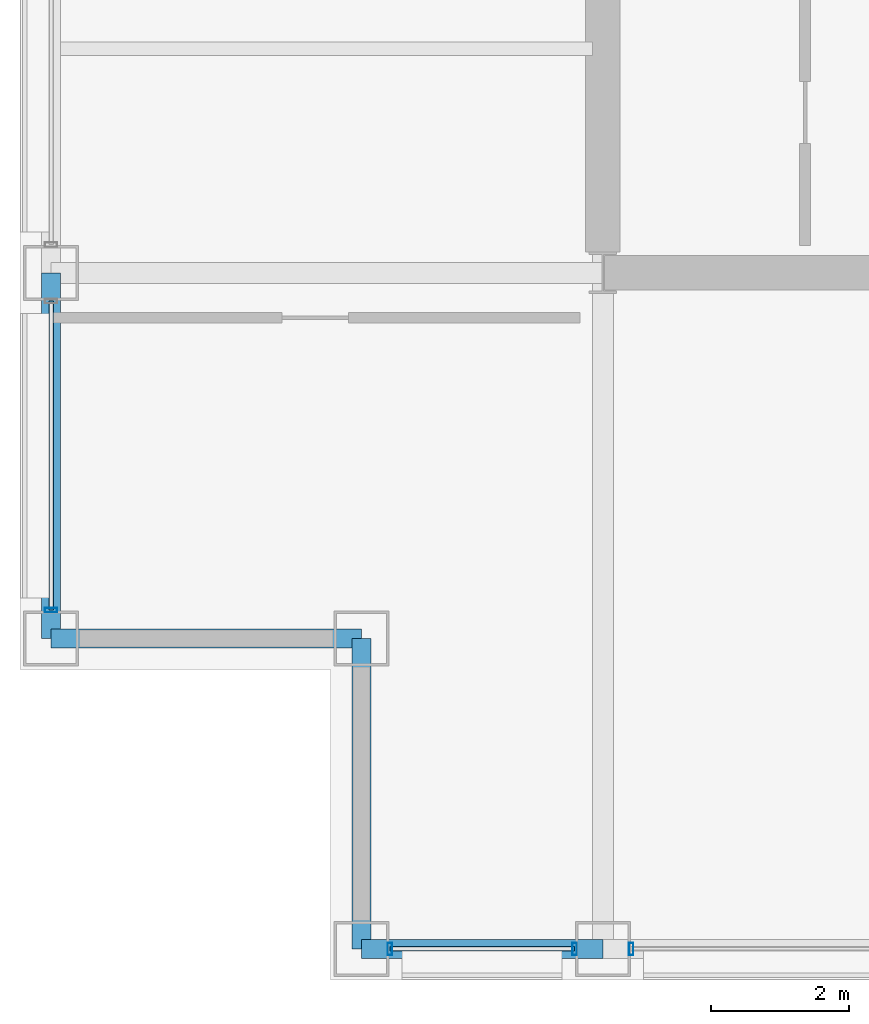
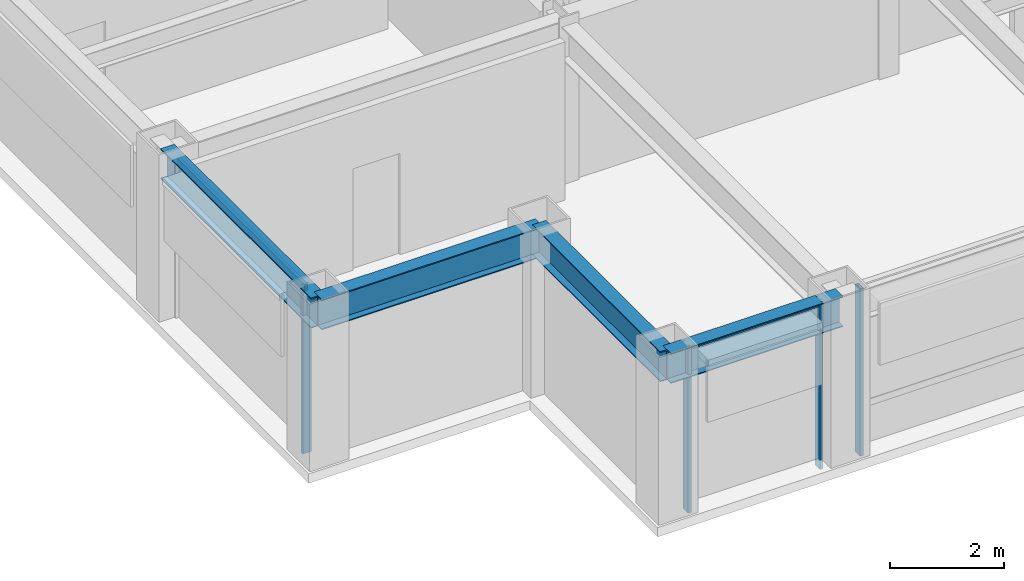
# One storey, part 2 of 29: 6 members, 4 beams, 3 elements without a shape of their own.
"""IFC4 building model written with IfcOpenShell, lengths in metres."""

from ifc_helpers import new_model, si_unit, direction, frame, origin, origin_2d, place, context, subcontext, project, spatial, hollow_rectangle, i_section, extrude, material, layer, layer_set, material_profile, profile_set, type_object, element, aggregate, save


model = new_model("IFC4")

# Units and contexts
model_context = context("Model", 3, precision=1e-05, world=origin(), true_north=direction((0.0, 1.0)))
body_context = subcontext(model_context, "Body", "Model", "MODEL_VIEW")
ifc_project = project(units=[si_unit("LENGTHUNIT", "METRE"), si_unit("AREAUNIT", "SQUARE_METRE"), si_unit("VOLUMEUNIT", "CUBIC_METRE"), si_unit("PLANEANGLEUNIT", "RADIAN"), si_unit("MASSUNIT", "GRAM", prefix="KILO")], contexts=[model_context])

# Site, building, storey
site_placement = place(None, origin())
site = spatial("IfcSite", under=ifc_project, at=site_placement, CompositionType="ELEMENT")
building_placement = place(site_placement, origin())
building = spatial("IfcBuilding", under=site, at=building_placement, Name="Brelmoor Portico Tower", CompositionType="ELEMENT")
storey_placement = place(building_placement, frame((0.0, 0.0, 138.60009765625)))
storey = spatial("IfcBuildingStorey", under=building, at=storey_placement, Name="L36", CompositionType="ELEMENT", Elevation=138.60009765625)

# Beams
ifc_material_1 = material(Name="Steel Q355B", Category="steel")
ifc_material_profile_1 = material_profile(ifc_material_1, i_section(OverallWidth=0.280029296875, OverallDepth=0.64990234375, WebThickness=0.012939453125, FlangeThickness=0.02197265625, at=origin_2d()), Name="HN 650x280x13x22")
ifc_profile_set_1 = profile_set([ifc_material_profile_1], Name="Steel Q355B")
beam_type = type_object("IfcBeamType", Name="BM-SP-650", PredefinedType="SPANDREL", material=ifc_profile_set_1)
beam_1_placement = place(storey_placement, frame((-18.050048828125, -19.550048828125, 3.074951171875), z_axis=(1.0, 0.0, 0.0), x_axis=(0.0, 1.0, 0.0)))
element("IfcBeam", 1, at=beam_1_placement, inside=storey, type_object=beam_type, Name="L36 Perimeter Spandrel Beam SP-01", PredefinedType="SPANDREL", context=body_context, shape_type="SweptSolid", body=[
    extrude(i_section(OverallWidth=0.280029296875, OverallDepth=0.64990234375, WebThickness=0.012939453125, FlangeThickness=0.02197265625, at=origin_2d()), origin(), (0.0, 0.0, 1.0), 3.5),
])
beam_2_placement = place(storey_placement, frame((-22.550048828125, -15.050048828125, 3.074951171875), z_axis=(1.0, 0.0, 0.0), x_axis=(0.0, 1.0, 0.0)))
element("IfcBeam", 2, at=beam_2_placement, inside=storey, type_object=beam_type, Name="L36 Perimeter Spandrel Beam SP-06", PredefinedType="SPANDREL", context=body_context, shape_type="SweptSolid", body=[
    extrude(i_section(OverallWidth=0.280029296875, OverallDepth=0.64990234375, WebThickness=0.012939453125, FlangeThickness=0.02197265625, at=origin_2d()), origin(), (0.0, 0.0, 1.0), 4.5),
])
beam_3_placement = place(storey_placement, frame((-22.550048828125, -15.050048828125, 3.074951171875), z_axis=(0.0, 1.0, 0.0), x_axis=(-1.0, 0.0, 0.0)))
element("IfcBeam", 3, at=beam_3_placement, inside=storey, type_object=beam_type, Name="L36 Perimeter Spandrel Beam SP-15", PredefinedType="SPANDREL", context=body_context, shape_type="SweptSolid", body=[
    extrude(i_section(OverallWidth=0.280029296875, OverallDepth=0.64990234375, WebThickness=0.012939453125, FlangeThickness=0.02197265625, at=origin_2d()), origin(), (0.0, 0.0, 1.0), 5.300048828125),
])
beam_4_placement = place(storey_placement, frame((-18.050048828125, -19.550048828125, 3.074951171875), z_axis=(0.0, 1.0, 0.0), x_axis=(-1.0, 0.0, 0.0)))
element("IfcBeam", 4, at=beam_4_placement, inside=storey, type_object=beam_type, Name="L36 Perimeter Spandrel Beam SP-18", PredefinedType="SPANDREL", context=body_context, shape_type="SweptSolid", body=[
    extrude(i_section(OverallWidth=0.280029296875, OverallDepth=0.64990234375, WebThickness=0.012939453125, FlangeThickness=0.02197265625, at=origin_2d()), origin(), (0.0, 0.0, 1.0), 4.5),
])

# Curtain wall, members
ifc_material_2 = material(Name="Anodised Aluminium Alloy 6063-T6", Category="aluminium")
ifc_layer_1 = layer(ifc_material_2, 0.179931640625)
ifc_layer_set_1 = layer_set([ifc_layer_1], Name="Anodised Aluminium Alloy 6063-T6")
curtain_wall_type_1 = type_object("IfcCurtainWallType", Name="CW-TOWER-Z2-XB", PredefinedType="NOTDEFINED", material=ifc_layer_set_1)
curtain_wall_1_placement = place(storey_placement, origin())
curtain_wall_1 = element("IfcCurtainWall", 5, at=curtain_wall_1_placement, inside=storey, type_object=curtain_wall_type_1, Name="L36 Curtain Wall CW-L36-01-1", PredefinedType="NOTDEFINED")
ifc_material_profile_2 = material_profile(ifc_material_2, hollow_rectangle(XDim=0.06494140625, YDim=0.179931640625, WallThickness=0.00390625, at=origin_2d()), Name="ALU MULLION 65x180")
ifc_profile_set_2 = profile_set([ifc_material_profile_2], Name="Anodised Aluminium Alloy 6063-T6")
member_type_1 = type_object("IfcMemberType", Name="MB-CW-MULL-180", PredefinedType="MULLION", material=ifc_profile_set_2)
member_1_placement = place(storey_placement, frame((-17.639892578125, -19.550048828125, -0.2001953125), z_axis=(0.0, 0.0, 1.0), x_axis=(1.0, 0.0, 0.0)))
member_1 = element("IfcMember", 6, at=member_1_placement, type_object=member_type_1, Name="CW-L36-01-1 Mullion 00", PredefinedType="MULLION", context=body_context, shape_type="SweptSolid", body=[
    extrude(hollow_rectangle(XDim=0.06494140625, YDim=0.179931640625, WallThickness=0.00390625, at=origin_2d()), origin(), (0.0, 0.0, 1.0), 3.60009765625),
])
member_2_placement = place(storey_placement, frame((-14.9599609375, -19.550048828125, -0.2001953125), z_axis=(0.0, 0.0, 1.0), x_axis=(1.0, 0.0, 0.0)))
member_2 = element("IfcMember", 7, at=member_2_placement, type_object=member_type_1, Name="CW-L36-01-1 Mullion 01", PredefinedType="MULLION", context=body_context, shape_type="SweptSolid", body=[
    extrude(hollow_rectangle(XDim=0.06494140625, YDim=0.179931640625, WallThickness=0.00390625, at=origin_2d()), origin(), (0.0, 0.0, 1.0), 3.60009765625),
])

# Curtain wall, member
ifc_layer_2 = layer(ifc_material_2, 0.179931640625)
ifc_layer_set_2 = layer_set([ifc_layer_2], Name="Anodised Aluminium Alloy 6063-T6")
curtain_wall_type_2 = type_object("IfcCurtainWallType", Name="CW-TOWER-Z2", PredefinedType="NOTDEFINED", material=ifc_layer_set_2)
curtain_wall_2_placement = place(storey_placement, origin())
curtain_wall_2 = element("IfcCurtainWall", 8, at=curtain_wall_2_placement, inside=storey, type_object=curtain_wall_type_2, Name="L36 Curtain Wall CW-L36-01-2", PredefinedType="NOTDEFINED")
member_3_placement = place(storey_placement, frame((-14.139892578125, -19.550048828125, -0.2001953125), z_axis=(0.0, 0.0, 1.0), x_axis=(1.0, 0.0, 0.0)))
member_3 = element("IfcMember", 9, at=member_3_placement, type_object=member_type_1, Name="CW-L36-01-2 Mullion 00", PredefinedType="MULLION", context=body_context, shape_type="SweptSolid", body=[
    extrude(hollow_rectangle(XDim=0.06494140625, YDim=0.179931640625, WallThickness=0.00390625, at=origin_2d()), origin(), (0.0, 0.0, 1.0), 3.60009765625),
])
aggregate(curtain_wall_2, [member_3])

curtain_wall_3_placement = place(storey_placement, origin())
curtain_wall_3 = element("IfcCurtainWall", 10, at=curtain_wall_3_placement, inside=storey, type_object=curtain_wall_type_1, Name="L36 Curtain Wall CW-L36-03-1", PredefinedType="NOTDEFINED")
member_4_placement = place(storey_placement, frame((-22.550048828125, -14.639892578125, -0.2001953125), z_axis=(0.0, 0.0, 1.0), x_axis=(0.0, 1.0, 0.0)))
member_4 = element("IfcMember", 11, at=member_4_placement, type_object=member_type_1, Name="CW-L36-03-1 Mullion 00", PredefinedType="MULLION", context=body_context, shape_type="SweptSolid", body=[
    extrude(hollow_rectangle(XDim=0.06494140625, YDim=0.179931640625, WallThickness=0.00390625, at=origin_2d()), origin(), (0.0, 0.0, 1.0), 3.60009765625),
])

# Member
ifc_material_profile_3 = material_profile(ifc_material_2, hollow_rectangle(XDim=0.06494140625, YDim=0.139892578125, WallThickness=0.00390625, at=origin_2d()), Name="ALU TRANSOM 65x140")
ifc_profile_set_3 = profile_set([ifc_material_profile_3], Name="Anodised Aluminium Alloy 6063-T6")
member_type_2 = type_object("IfcMemberType", Name="MB-CW-TRAN-140", PredefinedType="USERDEFINED", material=ifc_profile_set_3)
member_5_placement = place(storey_placement, frame((-17.639892578125, -19.550048828125, 3.329833984375), z_axis=(1.0, 0.0, 0.0), x_axis=(0.0, 1.0, 0.0)))
member_5 = element("IfcMember", 12, at=member_5_placement, type_object=member_type_2, Name="CW-L36-01-1 Transom 1-00", ObjectType="TRANSOM", PredefinedType="USERDEFINED", context=body_context, shape_type="SweptSolid", body=[
    extrude(hollow_rectangle(XDim=0.06494140625, YDim=0.139892578125, WallThickness=0.00390625, at=origin_2d()), origin(), (0.0, 0.0, 1.0), 2.679931640625),
])

aggregate(curtain_wall_1, [member_1, member_2, member_5])

member_6_placement = place(storey_placement, frame((-22.550048828125, -14.639892578125, 3.329833984375), z_axis=(0.0, 1.0, 0.0), x_axis=(-1.0, 0.0, 0.0)))
member_6 = element("IfcMember", 13, at=member_6_placement, type_object=member_type_2, Name="CW-L36-03-1 Transom 1-00", ObjectType="TRANSOM", PredefinedType="USERDEFINED", context=body_context, shape_type="SweptSolid", body=[
    extrude(hollow_rectangle(XDim=0.06494140625, YDim=0.139892578125, WallThickness=0.00390625, at=origin_2d()), origin(), (0.0, 0.0, 1.0), 4.47998046875),
])

aggregate(curtain_wall_3, [member_4, member_6])

save(model, "model.ifc")
